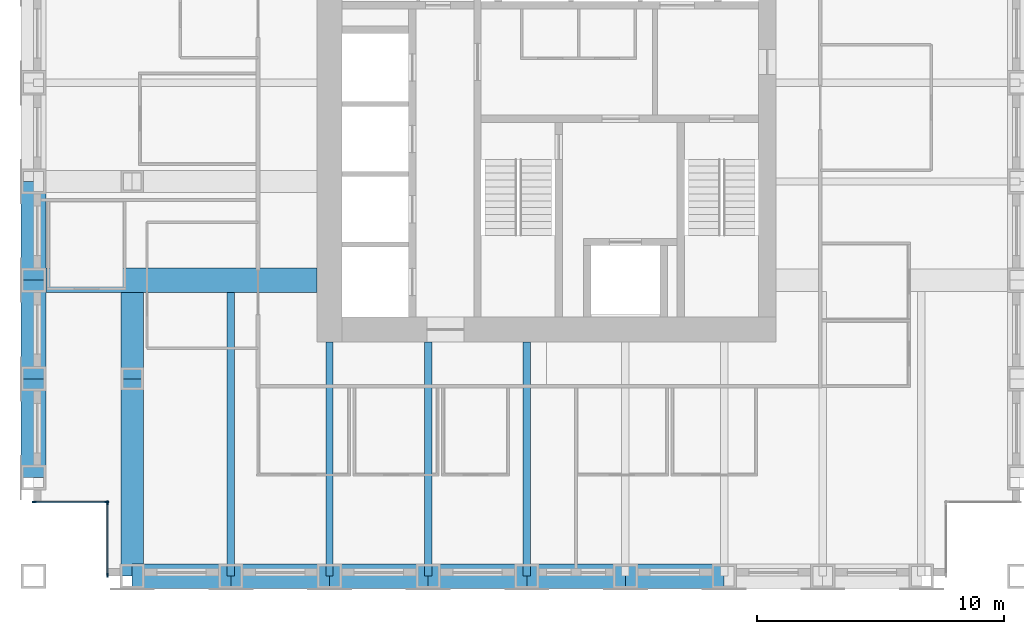
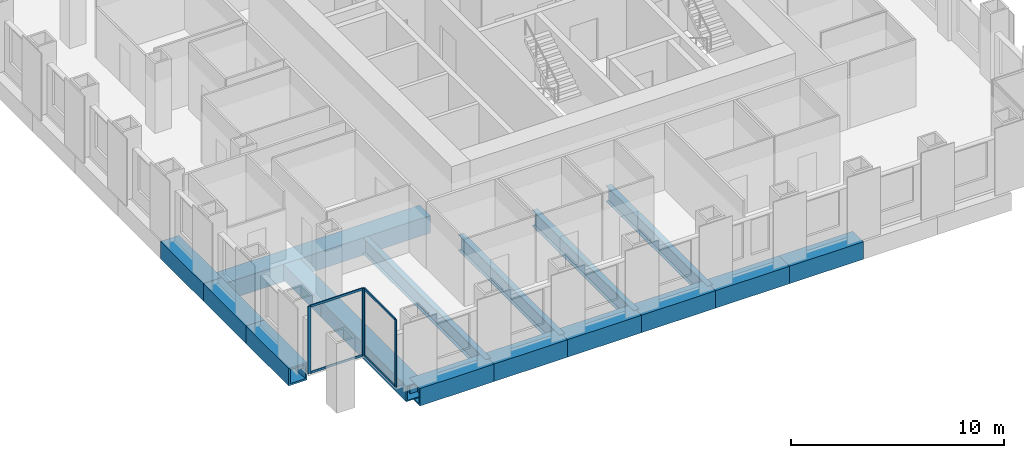
# One storey, part 2 of 14: 16 beams, 8 members, 2 elements without a shape of their own.
"""IFC4 building model written with IfcOpenShell, lengths in metres."""

import ifcopenshell
import ifcopenshell.guid

model = None  # the IFC model being written
_history = None  # IfcOwnerHistory: only IFC2X3 demands one
_inside = {}  # id of a spatial element -> (the spatial element, [elements in it])
_under = {}  # id of a project, library or spatial element -> (it, [spatial elements below it])
_declared = {}  # id of a project -> (the project, [libraries it declares])
_typed = {}  # id of a type object -> (the type object, [elements of that type])
_made_of = {}  # id of a material, layer set ... -> (it, [elements and type objects made of it])


def new_model(schema):
    """Start an empty IFC model of exactly this schema.

    Asked for "IFC4X3", IfcOpenShell would pick the latest addendum, in which some entities
    have other attributes; the version numbers below select the first issue.
    IFC2X3 requires an IfcOwnerHistory on every rooted entity: one is made here for all.
    """
    global model, _history
    if schema == "IFC4X3":
        model = ifcopenshell.file(schema_version=(4, 3, 0, 0))
    else:
        model = ifcopenshell.file(schema=schema)
    _inside.clear()
    _under.clear()
    _declared.clear()
    _typed.clear()
    _made_of.clear()
    _history = None
    if model.schema == "IFC2X3":
        org = make("IfcOrganization", Name="unknown")
        user = make(
            "IfcPersonAndOrganization",
            ThePerson=make("IfcPerson", FamilyName="unknown"),
            TheOrganization=org,
        )
        app = make(
            "IfcApplication",
            ApplicationDeveloper=org,
            Version="unknown",
            ApplicationFullName="unknown",
            ApplicationIdentifier="unknown",
        )
        _history = make(
            "IfcOwnerHistory",
            OwningUser=user,
            OwningApplication=app,
            ChangeAction="ADDED",
            CreationDate=0,
        )
    return model


def make(cls, **values):
    """One entity of the class cls with the attributes given. An attribute that is None is left unset."""
    return model.create_entity(
        cls, **{name: value for name, value in values.items() if value is not None}
    )


def rooted(cls, **values):
    """An entity with a GlobalId (a new one), such as an element, a storey or a relation."""
    return make(cls, GlobalId=ifcopenshell.guid.new(), OwnerHistory=_history, **values)


def si_unit(unit_type, name, prefix=None):
    """IfcSIUnit, for example si_unit("LENGTHUNIT", "METRE", prefix="MILLI")."""
    return make("IfcSIUnit", UnitType=unit_type, Prefix=prefix, Name=name)


def assignment(units):
    """IfcUnitAssignment: the units of a project."""
    return None if units is None else make("IfcUnitAssignment", Units=units)


def point(xyz):
    """IfcCartesianPoint."""
    return None if xyz is None else make("IfcCartesianPoint", Coordinates=xyz)


def direction(xyz):
    """IfcDirection."""
    return None if xyz is None else make("IfcDirection", DirectionRatios=xyz)


def frame(location, z_axis=None, x_axis=None):
    """IfcAxis2Placement3D, a coordinate frame: its origin and axes. An axis left out is left unset."""
    return make(
        "IfcAxis2Placement3D",
        Location=point(location),
        Axis=direction(z_axis),
        RefDirection=direction(x_axis),
    )


def frame_2d(location, x_axis=None):
    """IfcAxis2Placement2D, a coordinate frame in the plane: its origin and x axis."""
    return make(
        "IfcAxis2Placement2D", Location=point(location), RefDirection=direction(x_axis)
    )


def origin():
    """The frame at (0, 0, 0) with its axes left unset."""
    return frame((0.0, 0.0, 0.0))


def origin_2d():
    """The frame at (0, 0) in the plane with its x axis left unset."""
    return frame_2d((0.0, 0.0))


def place(relative_to, where):
    """IfcLocalPlacement: puts the frame where relative to a parent placement (None: the world)."""
    return make(
        "IfcLocalPlacement", PlacementRelTo=relative_to, RelativePlacement=where
    )


def context(
    kind, dimensions, precision=None, world=None, true_north=None, identifier=None
):
    """IfcGeometricRepresentationContext, for example the 3D "Model" context."""
    return make(
        "IfcGeometricRepresentationContext",
        ContextIdentifier=identifier,
        ContextType=kind,
        CoordinateSpaceDimension=dimensions,
        Precision=precision,
        WorldCoordinateSystem=world,
        TrueNorth=true_north,
    )


def subcontext(parent, identifier, kind, view, scale=None):
    """IfcGeometricRepresentationSubContext, for example "Body" below "Model"."""
    return make(
        "IfcGeometricRepresentationSubContext",
        ContextIdentifier=identifier,
        ContextType=kind,
        ParentContext=parent,
        TargetScale=scale,
        TargetView=view,
    )


def project(units=None, contexts=None):
    """IfcProject with its units and contexts."""
    return rooted(
        "IfcProject",
        Name="project",
        RepresentationContexts=contexts,
        UnitsInContext=assignment(units),
    )


def spatial(cls, under=None, at=None, **own):
    """A site, building, storey or space (cls), placed at a placement, below another one or the project."""
    s = rooted(cls, ObjectPlacement=at, **own)
    if under is not None:
        _under.setdefault(under.id(), (under, []))[1].append(s)
    return s


def profile(cls, at=None, kind="AREA", **sizes):
    """A parametric profile (cls). Its sizes go by their IFC names, for example OverallWidth=200.0."""
    return make(cls, ProfileType=kind, Position=at, **sizes)


def rectangle(**sizes):
    """IfcRectangleProfileDef."""
    return profile("IfcRectangleProfileDef", **sizes)


def hollow_rectangle(**sizes):
    """IfcRectangleHollowProfileDef."""
    return profile("IfcRectangleHollowProfileDef", **sizes)


def i_section(**sizes):
    """IfcIShapeProfileDef."""
    return profile("IfcIShapeProfileDef", **sizes)


def extrude(swept, where, along, depth):
    """IfcExtrudedAreaSolid: the profile swept, set in the frame where, extruded along a direction by depth."""
    return make(
        "IfcExtrudedAreaSolid",
        SweptArea=swept,
        Position=where,
        ExtrudedDirection=direction(along),
        Depth=depth,
    )


def shape(context_of_items, identifier, shape_type, items):
    """IfcShapeRepresentation: the items that make up one representation, for example the "Body"."""
    return make(
        "IfcShapeRepresentation",
        ContextOfItems=context_of_items,
        RepresentationIdentifier=identifier,
        RepresentationType=shape_type,
        Items=items,
    )


def material(Name=None, Category=None):
    """IfcMaterial."""
    return make("IfcMaterial", Name=Name, Category=Category)


def material_profile(
    of_material, cross_section, Name=None, Category=None, Priority=None
):
    """IfcMaterialProfile: a cross section and its material."""
    return make(
        "IfcMaterialProfile",
        Name=Name,
        Material=of_material,
        Profile=cross_section,
        Priority=Priority,
        Category=Category,
    )


def profile_set(profiles, Name=None, composite=None):
    """IfcMaterialProfileSet."""
    return make(
        "IfcMaterialProfileSet",
        Name=Name,
        MaterialProfiles=profiles,
        CompositeProfile=composite,
    )


def made_of(thing, what):
    """Note that an element or type object is made of a material, layer set ...; save() writes the relation."""
    if what is not None:
        _made_of.setdefault(what.id(), (what, []))[1].append(thing)
    return thing


def type_object(cls, material=None, **own):
    """A type object (cls), such as IfcWallType, which elements share."""
    return made_of(rooted(cls, **own), material)


def element(
    cls,
    number,
    at=None,
    inside=None,
    cuts=None,
    type_object=None,
    material=None,
    context=None,
    identifier="Body",
    shape_type=None,
    held_by="IfcProductDefinitionShape",
    body=None,
    shapes=None,
    **own,
):
    """One element of the class cls, such as IfcWall. Its Tag is "e" and its number.

    at: its placement. inside: the storey or other place that contains it. cuts: it is an
    opening in that element (IfcRelVoidsElement). A single representation is given by context,
    identifier, shape_type and body (its items); several are given by shapes. held_by: the class
    of the entity that holds the representations. save() writes the other relations.
    """
    e = rooted(cls, Tag="e%d" % number, ObjectPlacement=at, **own)
    if body is not None:
        shapes = [shape(context, identifier, shape_type, body)]
    if shapes is not None:
        e.Representation = make(held_by, Representations=shapes)
    if inside is not None:
        _inside.setdefault(inside.id(), (inside, []))[1].append(e)
    if cuts is not None:
        rooted(
            "IfcRelVoidsElement", RelatingBuildingElement=cuts, RelatedOpeningElement=e
        )
    if type_object is not None:
        _typed.setdefault(type_object.id(), (type_object, []))[1].append(e)
    return made_of(e, material)


def aggregate(whole, parts):
    """IfcRelAggregates: a whole, such as a stair, and the parts it consists of."""
    return rooted("IfcRelAggregates", RelatingObject=whole, RelatedObjects=parts)


def save(model, path):
    """Write the relations noted so far, then the file.

    IfcRelAggregates (storeys below a building ...), IfcRelContainedInSpatialStructure (elements
    in a storey), IfcRelDefinesByType, IfcRelAssociatesMaterial and IfcRelDeclares: one each for
    every whole, place, type object, material and project.
    """
    for whole, parts in _under.values():
        aggregate(whole, parts)
    for where, things in _inside.values():
        rooted(
            "IfcRelContainedInSpatialStructure",
            RelatedElements=things,
            RelatingStructure=where,
        )
    for kind, things in _typed.values():
        rooted("IfcRelDefinesByType", RelatedObjects=things, RelatingType=kind)
    for what, things in _made_of.values():
        rooted("IfcRelAssociatesMaterial", RelatedObjects=things, RelatingMaterial=what)
    for by, libraries in _declared.values():
        rooted("IfcRelDeclares", RelatingContext=by, RelatedDefinitions=libraries)
    model.write(path)


model = new_model("IFC4")

# Units and contexts
model_context = context("Model", 3, precision=1e-05, world=origin(), true_north=direction((0.0, 1.0)))
body_context = subcontext(model_context, "Body", "Model", "MODEL_VIEW")
ifc_project = project(units=[si_unit("LENGTHUNIT", "METRE"), si_unit("AREAUNIT", "SQUARE_METRE"), si_unit("VOLUMEUNIT", "CUBIC_METRE"), si_unit("PLANEANGLEUNIT", "RADIAN"), si_unit("MASSUNIT", "GRAM", prefix="KILO")], contexts=[model_context])

# Site, building, storey
site_placement = place(None, origin())
site = spatial("IfcSite", under=ifc_project, at=site_placement, CompositionType="ELEMENT")
building_placement = place(site_placement, origin())
building = spatial("IfcBuilding", under=site, at=building_placement, Name="Rimbunsela Tower", CompositionType="ELEMENT")
storey_placement = place(building_placement, frame((0.0, 0.0, 183.800048828125)))
storey = spatial("IfcBuildingStorey", under=building, at=storey_placement, Name="L44", CompositionType="ELEMENT", Elevation=183.800048828125)

# Beams
ifc_material_1 = material(Name="Steel BJ 55 (fy 410 MPa)", Category="steel")
ifc_material_profile_1 = material_profile(ifc_material_1, hollow_rectangle(XDim=1.0, YDim=1.0, WallThickness=0.10009765625, at=origin_2d()), Name="BOX 1000x1000x100")
ifc_profile_set_1 = profile_set([ifc_material_profile_1], Name="Steel BJ 55 (fy 410 MPa)")
beam_type_1 = type_object("IfcBeamType", Name="Beam BOX 1000x1000x100", PredefinedType="BEAM", material=ifc_profile_set_1)
for number, where, z_axis, x_axis, name in (
    (1, (6.0, 12.0, -0.650146484375), (0.0, 1.0, 0.0), (-1.0, 0.0, 0.0), "Beam B3 L44"),
    (2, (6.0, 16.0, -0.650146484375), (0.0, 1.0, 0.0), (-1.0, 0.0, 0.0), "Beam B3 L44"),
    (3, (6.0, 20.0, -0.650146484375), (0.0, 1.0, 0.0), (-1.0, 0.0, 0.0), "Beam B3 L44"),
):
    element("IfcBeam", number, at=place(storey_placement, frame(where, z_axis=z_axis, x_axis=x_axis)), inside=storey, type_object=beam_type_1, Name=name, PredefinedType="BEAM", context=body_context, shape_type="SweptSolid", body=[
        extrude(hollow_rectangle(XDim=1.0, YDim=1.0, WallThickness=0.10009765625, at=origin_2d()), origin(), (0.0, 0.0, 1.0), 4.0),
    ])
beam_1_placement = place(storey_placement, frame((6.0, 20.0, -0.650146484375), z_axis=(1.0, 0.0, 0.0), x_axis=(0.0, 1.0, 0.0)))
element("IfcBeam", 4, at=beam_1_placement, inside=storey, type_object=beam_type_1, Name="Beam B3 L44", PredefinedType="BEAM", context=body_context, shape_type="SweptSolid", body=[
    extrude(hollow_rectangle(XDim=1.0, YDim=1.0, WallThickness=0.10009765625, at=origin_2d()), origin(), (0.0, 0.0, 1.0), 11.5),
])
for number, where, z_axis, x_axis, name in (
    (5, (10.0, 8.0, -0.650146484375), (1.0, 0.0, 0.0), (0.0, 1.0, 0.0), "Beam B3 L44"),
    (6, (14.0, 8.0, -0.650146484375), (1.0, 0.0, 0.0), (0.0, 1.0, 0.0), "Beam B3 L44"),
    (7, (18.0, 8.0, -0.650146484375), (1.0, 0.0, 0.0), (0.0, 1.0, 0.0), "Beam B3 L44"),
    (8, (22.0, 8.0, -0.650146484375), (1.0, 0.0, 0.0), (0.0, 1.0, 0.0), "Beam B3 L44"),
    (9, (26.0, 8.0, -0.650146484375), (1.0, 0.0, 0.0), (0.0, 1.0, 0.0), "Beam B3 L44"),
    (10, (30.0, 8.0, -0.650146484375), (1.0, 0.0, 0.0), (0.0, 1.0, 0.0), "Beam B3 L44"),
):
    element("IfcBeam", number, at=place(storey_placement, frame(where, z_axis=z_axis, x_axis=x_axis)), inside=storey, type_object=beam_type_1, Name=name, PredefinedType="BEAM", context=body_context, shape_type="SweptSolid", body=[
        extrude(hollow_rectangle(XDim=1.0, YDim=1.0, WallThickness=0.10009765625, at=origin_2d()), origin(), (0.0, 0.0, 1.0), 4.0),
    ])
ifc_material_2 = material(Name="Steel BJ 55 (fy 410 MPa)", Category="steel")
ifc_material_profile_2 = material_profile(ifc_material_2, hollow_rectangle(XDim=0.89990234375, YDim=0.89990234375, WallThickness=0.06005859375, at=origin_2d()), Name="BOX 900x900x60")
ifc_profile_set_2 = profile_set([ifc_material_profile_2], Name="Steel BJ 55 (fy 410 MPa)")
beam_type_2 = type_object("IfcBeamType", Name="Beam BOX 900x900x60", PredefinedType="BEAM", material=ifc_profile_set_2)
beam_2_placement = place(storey_placement, frame((10.0, 8.0, -0.60009765625), z_axis=(0.0, 1.0, 0.0), x_axis=(-1.0, 0.0, 0.0)))
element("IfcBeam", 11, at=beam_2_placement, inside=storey, type_object=beam_type_2, Name="Beam B1 L44", PredefinedType="BEAM", context=body_context, shape_type="SweptSolid", body=[
    extrude(hollow_rectangle(XDim=0.89990234375, YDim=0.89990234375, WallThickness=0.06005859375, at=origin_2d()), origin(), (0.0, 0.0, 1.0), 8.0),
])
beam_3_placement = place(storey_placement, frame((10.0, 16.0, -0.60009765625), z_axis=(0.0, 1.0, 0.0), x_axis=(-1.0, 0.0, 0.0)))
element("IfcBeam", 12, at=beam_3_placement, inside=storey, type_object=beam_type_2, Name="Beam B1 L44", PredefinedType="BEAM", context=body_context, shape_type="SweptSolid", body=[
    extrude(hollow_rectangle(XDim=0.89990234375, YDim=0.89990234375, WallThickness=0.06005859375, at=origin_2d()), origin(), (0.0, 0.0, 1.0), 3.5),
])
ifc_material_3 = material(Name="Steel BJ 55 (fy 410 MPa)", Category="steel")
ifc_material_profile_3 = material_profile(ifc_material_3, i_section(OverallWidth=0.300048828125, OverallDepth=0.89990234375, WebThickness=0.01611328125, FlangeThickness=0.028076171875, FilletRadius=0.028076171875, at=origin_2d()), Name="H 900x300x16x28")
ifc_profile_set_3 = profile_set([ifc_material_profile_3], Name="Steel BJ 55 (fy 410 MPa)")
beam_type_3 = type_object("IfcBeamType", Name="Beam H 900x300x16x28", PredefinedType="BEAM", material=ifc_profile_set_3)
beam_4_placement = place(storey_placement, frame((14.0, 8.0, -0.60009765625), z_axis=(0.0, 1.0, 0.0), x_axis=(-1.0, 0.0, 0.0)))
element("IfcBeam", 13, at=beam_4_placement, inside=storey, type_object=beam_type_3, Name="Beam B2 L44", PredefinedType="BEAM", context=body_context, shape_type="SweptSolid", body=[
    extrude(i_section(OverallWidth=0.300048828125, OverallDepth=0.89990234375, WebThickness=0.01611328125, FlangeThickness=0.028076171875, FilletRadius=0.028076171875, at=origin_2d()), origin(), (0.0, 0.0, 1.0), 11.5),
])
for number, where, z_axis, x_axis, name in (
    (14, (18.0, 8.0, -0.60009765625), (0.0, 1.0, 0.0), (-1.0, 0.0, 0.0), "Beam B2 L44"),
    (15, (22.0, 8.0, -0.60009765625), (0.0, 1.0, 0.0), (-1.0, 0.0, 0.0), "Beam B2 L44"),
    (16, (26.0, 8.0, -0.60009765625), (0.0, 1.0, 0.0), (-1.0, 0.0, 0.0), "Beam B2 L44"),
):
    element("IfcBeam", number, at=place(storey_placement, frame(where, z_axis=z_axis, x_axis=x_axis)), inside=storey, type_object=beam_type_3, Name=name, PredefinedType="BEAM", context=body_context, shape_type="SweptSolid", body=[
        extrude(i_section(OverallWidth=0.300048828125, OverallDepth=0.89990234375, WebThickness=0.01611328125, FlangeThickness=0.028076171875, FilletRadius=0.028076171875, at=origin_2d()), origin(), (0.0, 0.0, 1.0), 9.5),
    ])

# Curtain wall, members
ifc_material_4 = material(Name="Aluminium curtain wall", Category="aluminium")
curtain_wall_type = type_object("IfcCurtainWallType", Name="Corner glazing", PredefinedType="USERDEFINED", material=ifc_material_4)
curtain_wall_1_placement = place(storey_placement, origin())
curtain_wall_1 = element("IfcCurtainWall", 17, at=curtain_wall_1_placement, inside=storey, type_object=curtain_wall_type, Name="Corner glazing L44", ObjectType="CORNER GLAZING", PredefinedType="USERDEFINED")
ifc_material_5 = material(Name="Aluminium mullion", Category="aluminium")
ifc_material_profile_4 = material_profile(ifc_material_5, rectangle(XDim=0.06005859375, YDim=0.159912109375, at=origin_2d()), Name="Mullion 60x160")
ifc_profile_set_4 = profile_set([ifc_material_profile_4], Name="Aluminium mullion")
member_type_1 = type_object("IfcMemberType", Name="Curtain wall mullion 60x160", PredefinedType="MULLION", material=ifc_profile_set_4)
member_1_placement = place(storey_placement, frame((6.030029296875, 11.0, 0.0), z_axis=(0.0, 0.0, 1.0), x_axis=(0.0, 1.0, 0.0)))
member_1 = element("IfcMember", 18, at=member_1_placement, type_object=member_type_1, Name="CW5 mullion 1", PredefinedType="MULLION", context=body_context, shape_type="SweptSolid", body=[
    extrude(rectangle(XDim=0.06005859375, YDim=0.159912109375, at=origin_2d()), origin(), (0.0, 0.0, 1.0), 3.849853515625),
])
member_2_placement = place(storey_placement, frame((8.969970703125, 11.0, 0.0), z_axis=(0.0, 0.0, 1.0), x_axis=(0.0, 1.0, 0.0)))
member_2 = element("IfcMember", 19, at=member_2_placement, type_object=member_type_1, Name="CW5 mullion 2", PredefinedType="MULLION", context=body_context, shape_type="SweptSolid", body=[
    extrude(rectangle(XDim=0.06005859375, YDim=0.159912109375, at=origin_2d()), origin(), (0.0, 0.0, 1.0), 3.849853515625),
])

curtain_wall_2_placement = place(storey_placement, origin())
curtain_wall_2 = element("IfcCurtainWall", 20, at=curtain_wall_2_placement, inside=storey, type_object=curtain_wall_type, Name="Corner glazing L44", ObjectType="CORNER GLAZING", PredefinedType="USERDEFINED")
member_3_placement = place(storey_placement, frame((9.0, 10.969970703125, 0.0), z_axis=(0.0, 0.0, 1.0), x_axis=(1.0, 0.0, 0.0)))
member_3 = element("IfcMember", 21, at=member_3_placement, type_object=member_type_1, Name="CW5 mullion 1", PredefinedType="MULLION", context=body_context, shape_type="SweptSolid", body=[
    extrude(rectangle(XDim=0.06005859375, YDim=0.159912109375, at=origin_2d()), origin(), (0.0, 0.0, 1.0), 3.849853515625),
])
member_4_placement = place(storey_placement, frame((9.0, 8.030029296875, 0.0), z_axis=(0.0, 0.0, 1.0), x_axis=(1.0, 0.0, 0.0)))
member_4 = element("IfcMember", 22, at=member_4_placement, type_object=member_type_1, Name="CW5 mullion 2", PredefinedType="MULLION", context=body_context, shape_type="SweptSolid", body=[
    extrude(rectangle(XDim=0.06005859375, YDim=0.159912109375, at=origin_2d()), origin(), (0.0, 0.0, 1.0), 3.849853515625),
])

# Member
ifc_material_6 = material(Name="Aluminium transom", Category="aluminium")
ifc_material_profile_5 = material_profile(ifc_material_6, rectangle(XDim=0.06005859375, YDim=0.1201171875, at=origin_2d()), Name="Transom 60x120")
ifc_profile_set_5 = profile_set([ifc_material_profile_5], Name="Aluminium transom")
member_type_2 = type_object("IfcMemberType", Name="Curtain wall transom 60x120", PredefinedType="USERDEFINED", material=ifc_profile_set_5)
member_5_placement = place(storey_placement, frame((6.06005859375, 11.0, 0.030029296875), z_axis=(1.0, 0.0, 0.0), x_axis=(0.0, 1.0, 0.0)))
member_5 = element("IfcMember", 23, at=member_5_placement, type_object=member_type_2, Name="CW5 transom 1.1", ObjectType="TRANSOM", PredefinedType="USERDEFINED", context=body_context, shape_type="SweptSolid", body=[
    extrude(rectangle(XDim=0.06005859375, YDim=0.1201171875, at=origin_2d()), origin(), (0.0, 0.0, 1.0), 2.8798828125),
])

member_6_placement = place(storey_placement, frame((6.06005859375, 11.0, 3.820068359375), z_axis=(1.0, 0.0, 0.0), x_axis=(0.0, 1.0, 0.0)))
member_6 = element("IfcMember", 24, at=member_6_placement, type_object=member_type_2, Name="CW5 transom 1.2", ObjectType="TRANSOM", PredefinedType="USERDEFINED", context=body_context, shape_type="SweptSolid", body=[
    extrude(rectangle(XDim=0.06005859375, YDim=0.1201171875, at=origin_2d()), origin(), (0.0, 0.0, 1.0), 2.8798828125),
])

aggregate(curtain_wall_1, [member_1, member_2, member_5, member_6])

member_7_placement = place(storey_placement, frame((9.0, 10.93994140625, 0.030029296875), z_axis=(0.0, -1.0, 0.0), x_axis=(1.0, 0.0, 0.0)))
member_7 = element("IfcMember", 25, at=member_7_placement, type_object=member_type_2, Name="CW5 transom 1.1", ObjectType="TRANSOM", PredefinedType="USERDEFINED", context=body_context, shape_type="SweptSolid", body=[
    extrude(rectangle(XDim=0.06005859375, YDim=0.1201171875, at=origin_2d()), origin(), (0.0, 0.0, 1.0), 2.8798828125),
])

member_8_placement = place(storey_placement, frame((9.0, 10.93994140625, 3.820068359375), z_axis=(0.0, -1.0, 0.0), x_axis=(1.0, 0.0, 0.0)))
member_8 = element("IfcMember", 26, at=member_8_placement, type_object=member_type_2, Name="CW5 transom 1.2", ObjectType="TRANSOM", PredefinedType="USERDEFINED", context=body_context, shape_type="SweptSolid", body=[
    extrude(rectangle(XDim=0.06005859375, YDim=0.1201171875, at=origin_2d()), origin(), (0.0, 0.0, 1.0), 2.8798828125),
])

aggregate(curtain_wall_2, [member_3, member_4, member_7, member_8])

save(model, "model.ifc")
